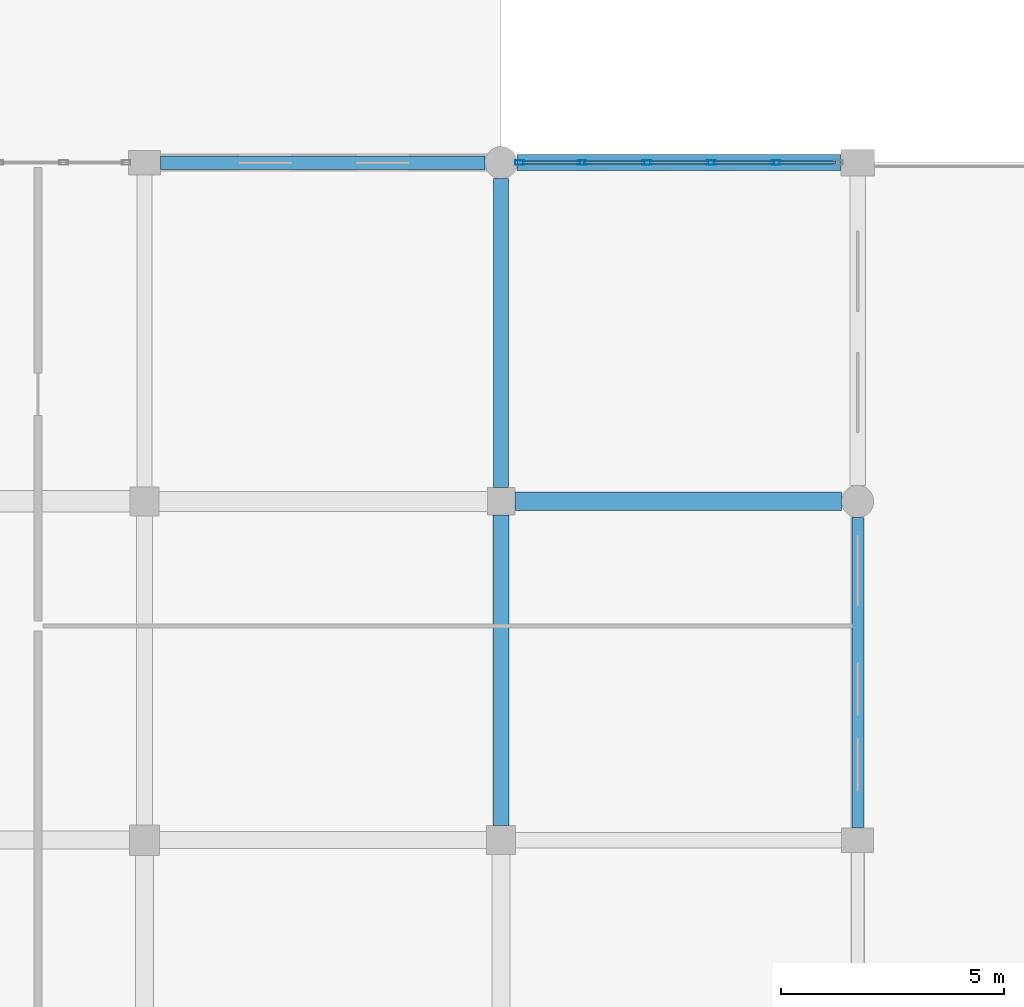
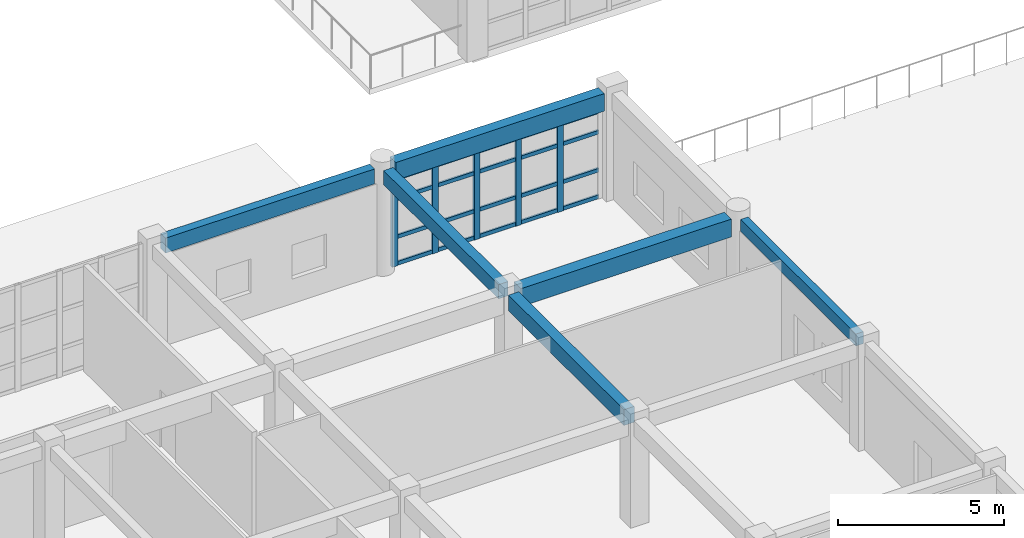
# One storey, part 122 of 195: 25 members, 6 beams, 1 element without a shape of its own.
"""IFC4 building model written with IfcOpenShell, lengths in metres."""

from ifc_helpers import new_model, si_unit, direction, frame, origin, origin_2d, place, context, subcontext, project, spatial, rectangle, hollow_rectangle, extrude, material, material_profile, profile_set, type_object, element, aggregate, save


model = new_model("IFC4")

# Units and contexts
model_context = context("Model", 3, precision=1e-05, world=origin(), true_north=direction((0.0, 1.0)))
body_context = subcontext(model_context, "Body", "Model", "MODEL_VIEW")
ifc_project = project(units=[si_unit("LENGTHUNIT", "METRE"), si_unit("AREAUNIT", "SQUARE_METRE"), si_unit("VOLUMEUNIT", "CUBIC_METRE"), si_unit("PLANEANGLEUNIT", "RADIAN"), si_unit("MASSUNIT", "GRAM", prefix="KILO")], contexts=[model_context])

# Site, building, storey
site_placement = place(None, origin())
site = spatial("IfcSite", under=ifc_project, at=site_placement, CompositionType="ELEMENT")
building_placement = place(site_placement, origin())
building = spatial("IfcBuilding", under=site, at=building_placement, Name="Kharva Crest Polytechnic", CompositionType="ELEMENT")
storey_placement = place(building_placement, frame((0.0, 0.0, 9.0)))
storey = spatial("IfcBuildingStorey", under=building, at=storey_placement, Name="L02", CompositionType="ELEMENT", Elevation=9.0)

# Beams
ifc_material_1 = material(Name="Concrete C35/45", Category="concrete")
ifc_material_profile_1 = material_profile(ifc_material_1, rectangle(XDim=0.340087890625, YDim=0.52001953125, at=origin_2d()), Name="RECT 340 X 520")
ifc_profile_set_1 = profile_set([ifc_material_profile_1], Name="Concrete C35/45")
beam_type_1 = type_object("IfcBeamType", Name="BM-RC-340X520", PredefinedType="BEAM", material=ifc_profile_set_1)
beam_1_placement = place(storey_placement, frame((144.800048828125, 23.110107421875, 3.659912109375), z_axis=(0.0, 1.0, 0.0), x_axis=(-1.0, 0.0, 0.0)))
element("IfcBeam", 1, at=beam_1_placement, inside=storey, type_object=beam_type_1, Name="L02 Girder 19/D-E", PredefinedType="BEAM", context=body_context, shape_type="SweptSolid", body=[
    extrude(rectangle(XDim=0.340087890625, YDim=0.52001953125, at=origin_2d()), origin(), (0.0, 0.0, 1.0), 6.929931640625),
])
ifc_material_profile_2 = material_profile(ifc_material_1, rectangle(XDim=0.360107421875, YDim=0.580078125, at=origin_2d()), Name="RECT 360 X 580")
ifc_profile_set_2 = profile_set([ifc_material_profile_2], Name="Concrete C35/45")
beam_type_2 = type_object("IfcBeamType", Name="BM-RC-360X580", PredefinedType="BEAM", material=ifc_profile_set_2)
beam_2_placement = place(storey_placement, frame((144.800048828125, 15.52490234375, 3.6298828125), z_axis=(0.0, 1.0, 0.0), x_axis=(-1.0, 0.0, 0.0)))
element("IfcBeam", 2, at=beam_2_placement, inside=storey, type_object=beam_type_2, Name="L02 Girder 19/C-D", PredefinedType="BEAM", context=body_context, shape_type="SweptSolid", body=[
    extrude(rectangle(XDim=0.360107421875, YDim=0.580078125, at=origin_2d()), origin(), (0.0, 0.0, 1.0), 6.965087890625),
])
ifc_material_profile_3 = material_profile(ifc_material_1, rectangle(XDim=0.419921875, YDim=0.659912109375, at=origin_2d()), Name="RECT 420 X 660")
ifc_profile_set_3 = profile_set([ifc_material_profile_3], Name="Concrete C35/45")
beam_type_3 = type_object("IfcBeamType", Name="BM-RC-420X660", PredefinedType="BEAM", material=ifc_profile_set_3)
beam_3_placement = place(storey_placement, frame((145.110107421875, 22.800048828125, 3.590087890625), z_axis=(1.0, 0.0, 0.0), x_axis=(0.0, 1.0, 0.0)))
element("IfcBeam", 3, at=beam_3_placement, inside=storey, type_object=beam_type_3, Name="L02 Beam D/19-20", PredefinedType="BEAM", context=body_context, shape_type="SweptSolid", body=[
    extrude(rectangle(XDim=0.419921875, YDim=0.659912109375, at=origin_2d()), origin(), (0.0, 0.0, 1.0), 7.329833984375),
])

# Curtain wall, members
ifc_material_2 = material(Name="Tempered insulated glass", Category="glass")
curtain_wall_type = type_object("IfcCurtainWallType", Name="CW-SYS-REFECTORY", PredefinedType="USERDEFINED", material=ifc_material_2)
curtain_wall_placement = place(storey_placement, origin())
curtain_wall = element("IfcCurtainWall", 4, at=curtain_wall_placement, inside=storey, type_object=curtain_wall_type, Name="L02 Glazed Curtain Wall CW-096", ObjectType="CURTAIN WALL", PredefinedType="USERDEFINED")
ifc_material_3 = material(Name="Steel S355", Category="steel")
ifc_material_profile_4 = material_profile(ifc_material_3, hollow_rectangle(XDim=0.10009765625, YDim=0.199951171875, WallThickness=0.00634765625, at=origin_2d()), Name="RHS 200X100X6.3")
ifc_profile_set_4 = profile_set([ifc_material_profile_4], Name="Steel S355")
member_type_1 = type_object("IfcMemberType", Name="CWM-RHS200X100", PredefinedType="MULLION", material=ifc_profile_set_4)
member_1_placement = place(storey_placement, frame((150.968994140625, 30.39990234375, 0.0), z_axis=(0.0, 0.0, 1.0), x_axis=(0.0, -1.0, 0.0)))
member_1 = element("IfcMember", 5, at=member_1_placement, type_object=member_type_1, Name="CW-096 mullion 2", PredefinedType="MULLION", context=body_context, shape_type="SweptSolid", body=[
    extrude(hollow_rectangle(XDim=0.10009765625, YDim=0.199951171875, WallThickness=0.00634765625, at=origin_2d()), origin(), (0.0, 0.0, 1.0), 3.27001953125),
])
member_2_placement = place(storey_placement, frame((149.51806640625, 30.39990234375, 0.0), z_axis=(0.0, 0.0, 1.0), x_axis=(0.0, -1.0, 0.0)))
member_2 = element("IfcMember", 6, at=member_2_placement, type_object=member_type_1, Name="CW-096 mullion 3", PredefinedType="MULLION", context=body_context, shape_type="SweptSolid", body=[
    extrude(hollow_rectangle(XDim=0.10009765625, YDim=0.199951171875, WallThickness=0.00634765625, at=origin_2d()), origin(), (0.0, 0.0, 1.0), 3.27001953125),
])
member_3_placement = place(storey_placement, frame((148.06689453125, 30.39990234375, 0.0), z_axis=(0.0, 0.0, 1.0), x_axis=(0.0, -1.0, 0.0)))
member_3 = element("IfcMember", 7, at=member_3_placement, type_object=member_type_1, Name="CW-096 mullion 4", PredefinedType="MULLION", context=body_context, shape_type="SweptSolid", body=[
    extrude(hollow_rectangle(XDim=0.10009765625, YDim=0.199951171875, WallThickness=0.00634765625, at=origin_2d()), origin(), (0.0, 0.0, 1.0), 3.27001953125),
])
member_4_placement = place(storey_placement, frame((146.615966796875, 30.39990234375, 0.0), z_axis=(0.0, 0.0, 1.0), x_axis=(0.0, -1.0, 0.0)))
member_4 = element("IfcMember", 8, at=member_4_placement, type_object=member_type_1, Name="CW-096 mullion 5", PredefinedType="MULLION", context=body_context, shape_type="SweptSolid", body=[
    extrude(hollow_rectangle(XDim=0.10009765625, YDim=0.199951171875, WallThickness=0.00634765625, at=origin_2d()), origin(), (0.0, 0.0, 1.0), 3.27001953125),
])
member_5_placement = place(storey_placement, frame((145.215087890625, 30.39990234375, 0.0), z_axis=(0.0, 0.0, 1.0), x_axis=(0.0, -1.0, 0.0)))
member_5 = element("IfcMember", 9, at=member_5_placement, type_object=member_type_1, Name="CW-096 mullion 6", PredefinedType="MULLION", context=body_context, shape_type="SweptSolid", body=[
    extrude(hollow_rectangle(XDim=0.10009765625, YDim=0.199951171875, WallThickness=0.00634765625, at=origin_2d()), origin(), (0.0, 0.0, 1.0), 3.27001953125),
])
ifc_material_profile_5 = material_profile(ifc_material_3, hollow_rectangle(XDim=0.070068359375, YDim=0.139892578125, WallThickness=0.00390625, at=origin_2d()), Name="RHS 140X70X4.0")
ifc_profile_set_5 = profile_set([ifc_material_profile_5], Name="Steel S355")
member_type_2 = type_object("IfcMemberType", Name="CWT-RHS140X70", PredefinedType="USERDEFINED", material=ifc_profile_set_5)
member_6_placement = place(storey_placement, frame((152.320068359375, 30.39990234375, 0.070068359375), z_axis=(-1.0, 0.0, 0.0), x_axis=(0.0, -1.0, 0.0)))
member_6 = element("IfcMember", 10, at=member_6_placement, type_object=member_type_2, Name="CW-096 transom 1.1", ObjectType="TRANSOM", PredefinedType="USERDEFINED", context=body_context, shape_type="SweptSolid", body=[
    extrude(hollow_rectangle(XDim=0.070068359375, YDim=0.139892578125, WallThickness=0.00390625, at=origin_2d()), origin(), (0.0, 0.0, 1.0), 1.301025390625),
])
member_7_placement = place(storey_placement, frame((152.320068359375, 30.39990234375, 1.050048828125), z_axis=(-1.0, 0.0, 0.0), x_axis=(0.0, -1.0, 0.0)))
member_7 = element("IfcMember", 11, at=member_7_placement, type_object=member_type_2, Name="CW-096 transom 1.2", ObjectType="TRANSOM", PredefinedType="USERDEFINED", context=body_context, shape_type="SweptSolid", body=[
    extrude(hollow_rectangle(XDim=0.070068359375, YDim=0.139892578125, WallThickness=0.00390625, at=origin_2d()), origin(), (0.0, 0.0, 1.0), 1.301025390625),
])
member_8_placement = place(storey_placement, frame((152.320068359375, 30.39990234375, 2.449951171875), z_axis=(-1.0, 0.0, 0.0), x_axis=(0.0, -1.0, 0.0)))
member_8 = element("IfcMember", 12, at=member_8_placement, type_object=member_type_2, Name="CW-096 transom 1.3", ObjectType="TRANSOM", PredefinedType="USERDEFINED", context=body_context, shape_type="SweptSolid", body=[
    extrude(hollow_rectangle(XDim=0.070068359375, YDim=0.139892578125, WallThickness=0.00390625, at=origin_2d()), origin(), (0.0, 0.0, 1.0), 1.301025390625),
])
member_9_placement = place(storey_placement, frame((152.320068359375, 30.39990234375, 3.199951171875), z_axis=(-1.0, 0.0, 0.0), x_axis=(0.0, -1.0, 0.0)))
member_9 = element("IfcMember", 13, at=member_9_placement, type_object=member_type_2, Name="CW-096 transom 1.4", ObjectType="TRANSOM", PredefinedType="USERDEFINED", context=body_context, shape_type="SweptSolid", body=[
    extrude(hollow_rectangle(XDim=0.070068359375, YDim=0.139892578125, WallThickness=0.00390625, at=origin_2d()), origin(), (0.0, 0.0, 1.0), 1.301025390625),
])
member_10_placement = place(storey_placement, frame((150.9189453125, 30.39990234375, 0.070068359375), z_axis=(-1.0, 0.0, 0.0), x_axis=(0.0, -1.0, 0.0)))
member_10 = element("IfcMember", 14, at=member_10_placement, type_object=member_type_2, Name="CW-096 transom 2.1", ObjectType="TRANSOM", PredefinedType="USERDEFINED", context=body_context, shape_type="SweptSolid", body=[
    extrude(hollow_rectangle(XDim=0.070068359375, YDim=0.139892578125, WallThickness=0.00390625, at=origin_2d()), origin(), (0.0, 0.0, 1.0), 1.350830078125),
])
member_11_placement = place(storey_placement, frame((150.9189453125, 30.39990234375, 1.050048828125), z_axis=(-1.0, 0.0, 0.0), x_axis=(0.0, -1.0, 0.0)))
member_11 = element("IfcMember", 15, at=member_11_placement, type_object=member_type_2, Name="CW-096 transom 2.2", ObjectType="TRANSOM", PredefinedType="USERDEFINED", context=body_context, shape_type="SweptSolid", body=[
    extrude(hollow_rectangle(XDim=0.070068359375, YDim=0.139892578125, WallThickness=0.00390625, at=origin_2d()), origin(), (0.0, 0.0, 1.0), 1.350830078125),
])
member_12_placement = place(storey_placement, frame((150.9189453125, 30.39990234375, 2.449951171875), z_axis=(-1.0, 0.0, 0.0), x_axis=(0.0, -1.0, 0.0)))
member_12 = element("IfcMember", 16, at=member_12_placement, type_object=member_type_2, Name="CW-096 transom 2.3", ObjectType="TRANSOM", PredefinedType="USERDEFINED", context=body_context, shape_type="SweptSolid", body=[
    extrude(hollow_rectangle(XDim=0.070068359375, YDim=0.139892578125, WallThickness=0.00390625, at=origin_2d()), origin(), (0.0, 0.0, 1.0), 1.350830078125),
])
member_13_placement = place(storey_placement, frame((150.9189453125, 30.39990234375, 3.199951171875), z_axis=(-1.0, 0.0, 0.0), x_axis=(0.0, -1.0, 0.0)))
member_13 = element("IfcMember", 17, at=member_13_placement, type_object=member_type_2, Name="CW-096 transom 2.4", ObjectType="TRANSOM", PredefinedType="USERDEFINED", context=body_context, shape_type="SweptSolid", body=[
    extrude(hollow_rectangle(XDim=0.070068359375, YDim=0.139892578125, WallThickness=0.00390625, at=origin_2d()), origin(), (0.0, 0.0, 1.0), 1.350830078125),
])
member_14_placement = place(storey_placement, frame((149.468017578125, 30.39990234375, 0.070068359375), z_axis=(-1.0, 0.0, 0.0), x_axis=(0.0, -1.0, 0.0)))
member_14 = element("IfcMember", 18, at=member_14_placement, type_object=member_type_2, Name="CW-096 transom 3.1", ObjectType="TRANSOM", PredefinedType="USERDEFINED", context=body_context, shape_type="SweptSolid", body=[
    extrude(hollow_rectangle(XDim=0.070068359375, YDim=0.139892578125, WallThickness=0.00390625, at=origin_2d()), origin(), (0.0, 0.0, 1.0), 1.35107421875),
])
member_15_placement = place(storey_placement, frame((149.468017578125, 30.39990234375, 1.050048828125), z_axis=(-1.0, 0.0, 0.0), x_axis=(0.0, -1.0, 0.0)))
member_15 = element("IfcMember", 19, at=member_15_placement, type_object=member_type_2, Name="CW-096 transom 3.2", ObjectType="TRANSOM", PredefinedType="USERDEFINED", context=body_context, shape_type="SweptSolid", body=[
    extrude(hollow_rectangle(XDim=0.070068359375, YDim=0.139892578125, WallThickness=0.00390625, at=origin_2d()), origin(), (0.0, 0.0, 1.0), 1.35107421875),
])
member_16_placement = place(storey_placement, frame((149.468017578125, 30.39990234375, 2.449951171875), z_axis=(-1.0, 0.0, 0.0), x_axis=(0.0, -1.0, 0.0)))
member_16 = element("IfcMember", 20, at=member_16_placement, type_object=member_type_2, Name="CW-096 transom 3.3", ObjectType="TRANSOM", PredefinedType="USERDEFINED", context=body_context, shape_type="SweptSolid", body=[
    extrude(hollow_rectangle(XDim=0.070068359375, YDim=0.139892578125, WallThickness=0.00390625, at=origin_2d()), origin(), (0.0, 0.0, 1.0), 1.35107421875),
])
member_17_placement = place(storey_placement, frame((149.468017578125, 30.39990234375, 3.199951171875), z_axis=(-1.0, 0.0, 0.0), x_axis=(0.0, -1.0, 0.0)))
member_17 = element("IfcMember", 21, at=member_17_placement, type_object=member_type_2, Name="CW-096 transom 3.4", ObjectType="TRANSOM", PredefinedType="USERDEFINED", context=body_context, shape_type="SweptSolid", body=[
    extrude(hollow_rectangle(XDim=0.070068359375, YDim=0.139892578125, WallThickness=0.00390625, at=origin_2d()), origin(), (0.0, 0.0, 1.0), 1.35107421875),
])
member_18_placement = place(storey_placement, frame((148.01708984375, 30.39990234375, 0.070068359375), z_axis=(-1.0, 0.0, 0.0), x_axis=(0.0, -1.0, 0.0)))
member_18 = element("IfcMember", 22, at=member_18_placement, type_object=member_type_2, Name="CW-096 transom 4.1", ObjectType="TRANSOM", PredefinedType="USERDEFINED", context=body_context, shape_type="SweptSolid", body=[
    extrude(hollow_rectangle(XDim=0.070068359375, YDim=0.139892578125, WallThickness=0.00390625, at=origin_2d()), origin(), (0.0, 0.0, 1.0), 1.35107421875),
])
member_19_placement = place(storey_placement, frame((148.01708984375, 30.39990234375, 1.050048828125), z_axis=(-1.0, 0.0, 0.0), x_axis=(0.0, -1.0, 0.0)))
member_19 = element("IfcMember", 23, at=member_19_placement, type_object=member_type_2, Name="CW-096 transom 4.2", ObjectType="TRANSOM", PredefinedType="USERDEFINED", context=body_context, shape_type="SweptSolid", body=[
    extrude(hollow_rectangle(XDim=0.070068359375, YDim=0.139892578125, WallThickness=0.00390625, at=origin_2d()), origin(), (0.0, 0.0, 1.0), 1.35107421875),
])
member_20_placement = place(storey_placement, frame((148.01708984375, 30.39990234375, 2.449951171875), z_axis=(-1.0, 0.0, 0.0), x_axis=(0.0, -1.0, 0.0)))
member_20 = element("IfcMember", 24, at=member_20_placement, type_object=member_type_2, Name="CW-096 transom 4.3", ObjectType="TRANSOM", PredefinedType="USERDEFINED", context=body_context, shape_type="SweptSolid", body=[
    extrude(hollow_rectangle(XDim=0.070068359375, YDim=0.139892578125, WallThickness=0.00390625, at=origin_2d()), origin(), (0.0, 0.0, 1.0), 1.35107421875),
])
member_21_placement = place(storey_placement, frame((148.01708984375, 30.39990234375, 3.199951171875), z_axis=(-1.0, 0.0, 0.0), x_axis=(0.0, -1.0, 0.0)))
member_21 = element("IfcMember", 25, at=member_21_placement, type_object=member_type_2, Name="CW-096 transom 4.4", ObjectType="TRANSOM", PredefinedType="USERDEFINED", context=body_context, shape_type="SweptSolid", body=[
    extrude(hollow_rectangle(XDim=0.070068359375, YDim=0.139892578125, WallThickness=0.00390625, at=origin_2d()), origin(), (0.0, 0.0, 1.0), 1.35107421875),
])
member_22_placement = place(storey_placement, frame((146.56591796875, 30.39990234375, 0.070068359375), z_axis=(-1.0, 0.0, 0.0), x_axis=(0.0, -1.0, 0.0)))
member_22 = element("IfcMember", 26, at=member_22_placement, type_object=member_type_2, Name="CW-096 transom 5.1", ObjectType="TRANSOM", PredefinedType="USERDEFINED", context=body_context, shape_type="SweptSolid", body=[
    extrude(hollow_rectangle(XDim=0.070068359375, YDim=0.139892578125, WallThickness=0.00390625, at=origin_2d()), origin(), (0.0, 0.0, 1.0), 1.301025390625),
])
member_23_placement = place(storey_placement, frame((146.56591796875, 30.39990234375, 1.050048828125), z_axis=(-1.0, 0.0, 0.0), x_axis=(0.0, -1.0, 0.0)))
member_23 = element("IfcMember", 27, at=member_23_placement, type_object=member_type_2, Name="CW-096 transom 5.2", ObjectType="TRANSOM", PredefinedType="USERDEFINED", context=body_context, shape_type="SweptSolid", body=[
    extrude(hollow_rectangle(XDim=0.070068359375, YDim=0.139892578125, WallThickness=0.00390625, at=origin_2d()), origin(), (0.0, 0.0, 1.0), 1.301025390625),
])
member_24_placement = place(storey_placement, frame((146.56591796875, 30.39990234375, 2.449951171875), z_axis=(-1.0, 0.0, 0.0), x_axis=(0.0, -1.0, 0.0)))
member_24 = element("IfcMember", 28, at=member_24_placement, type_object=member_type_2, Name="CW-096 transom 5.3", ObjectType="TRANSOM", PredefinedType="USERDEFINED", context=body_context, shape_type="SweptSolid", body=[
    extrude(hollow_rectangle(XDim=0.070068359375, YDim=0.139892578125, WallThickness=0.00390625, at=origin_2d()), origin(), (0.0, 0.0, 1.0), 1.301025390625),
])
member_25_placement = place(storey_placement, frame((146.56591796875, 30.39990234375, 3.199951171875), z_axis=(-1.0, 0.0, 0.0), x_axis=(0.0, -1.0, 0.0)))
member_25 = element("IfcMember", 29, at=member_25_placement, type_object=member_type_2, Name="CW-096 transom 5.4", ObjectType="TRANSOM", PredefinedType="USERDEFINED", context=body_context, shape_type="SweptSolid", body=[
    extrude(hollow_rectangle(XDim=0.070068359375, YDim=0.139892578125, WallThickness=0.00390625, at=origin_2d()), origin(), (0.0, 0.0, 1.0), 1.301025390625),
])
aggregate(curtain_wall, [member_1, member_2, member_3, member_4, member_5, member_6, member_7, member_8, member_9, member_10, member_11, member_12, member_13, member_14, member_15, member_16, member_17, member_18, member_19, member_20, member_21, member_22, member_23, member_24, member_25])

# Beams
ifc_material_profile_6 = material_profile(ifc_material_1, rectangle(XDim=0.260009765625, YDim=0.43994140625, at=origin_2d()), Name="RECT 260 X 440")
ifc_profile_set_6 = profile_set([ifc_material_profile_6], Name="Concrete C35/45")
beam_type_4 = type_object("IfcBeamType", Name="SP-RC-260X440", PredefinedType="SPANDREL", material=ifc_profile_set_6)
beam_4_placement = place(storey_placement, frame((152.800048828125, 15.47509765625, 3.699951171875), z_axis=(0.0, 1.0, 0.0), x_axis=(-1.0, 0.0, 0.0)))
element("IfcBeam", 30, at=beam_4_placement, inside=storey, type_object=beam_type_4, Name="L02 Girder 20/C-D", PredefinedType="SPANDREL", context=body_context, shape_type="SweptSolid", body=[
    extrude(rectangle(XDim=0.260009765625, YDim=0.43994140625, at=origin_2d()), origin(), (0.0, 0.0, 1.0), 6.96484375),
])
ifc_material_profile_7 = material_profile(ifc_material_1, rectangle(XDim=0.300048828125, YDim=0.550048828125, at=origin_2d()), Name="RECT 300 X 550")
ifc_profile_set_7 = profile_set([ifc_material_profile_7], Name="Concrete C35/45")
beam_type_5 = type_object("IfcBeamType", Name="SP-RC-300X550", PredefinedType="SPANDREL", material=ifc_profile_set_7)
beam_5_placement = place(storey_placement, frame((137.159912109375, 30.39990234375, 3.64501953125), z_axis=(1.0, 0.0, 0.0), x_axis=(0.0, 1.0, 0.0)))
element("IfcBeam", 31, at=beam_5_placement, inside=storey, type_object=beam_type_5, Name="L02 Beam E/18-19", PredefinedType="SPANDREL", context=body_context, shape_type="SweptSolid", body=[
    extrude(rectangle(XDim=0.300048828125, YDim=0.550048828125, at=origin_2d()), origin(), (0.0, 0.0, 1.0), 7.280029296875),
])
ifc_material_profile_8 = material_profile(ifc_material_1, rectangle(XDim=0.360107421875, YDim=0.64990234375, at=origin_2d()), Name="RECT 360 X 650")
ifc_profile_set_8 = profile_set([ifc_material_profile_8], Name="Concrete C35/45")
beam_type_6 = type_object("IfcBeamType", Name="SP-RC-360X650", PredefinedType="SPANDREL", material=ifc_profile_set_8)
beam_6_placement = place(storey_placement, frame((145.159912109375, 30.39990234375, 3.594970703125), z_axis=(1.0, 0.0, 0.0), x_axis=(0.0, 1.0, 0.0)))
element("IfcBeam", 32, at=beam_6_placement, inside=storey, type_object=beam_type_6, Name="L02 Beam E/19-20", PredefinedType="SPANDREL", context=body_context, shape_type="SweptSolid", body=[
    extrude(rectangle(XDim=0.360107421875, YDim=0.64990234375, at=origin_2d()), origin(), (0.0, 0.0, 1.0), 7.26513671875),
])

save(model, "model.ifc")
